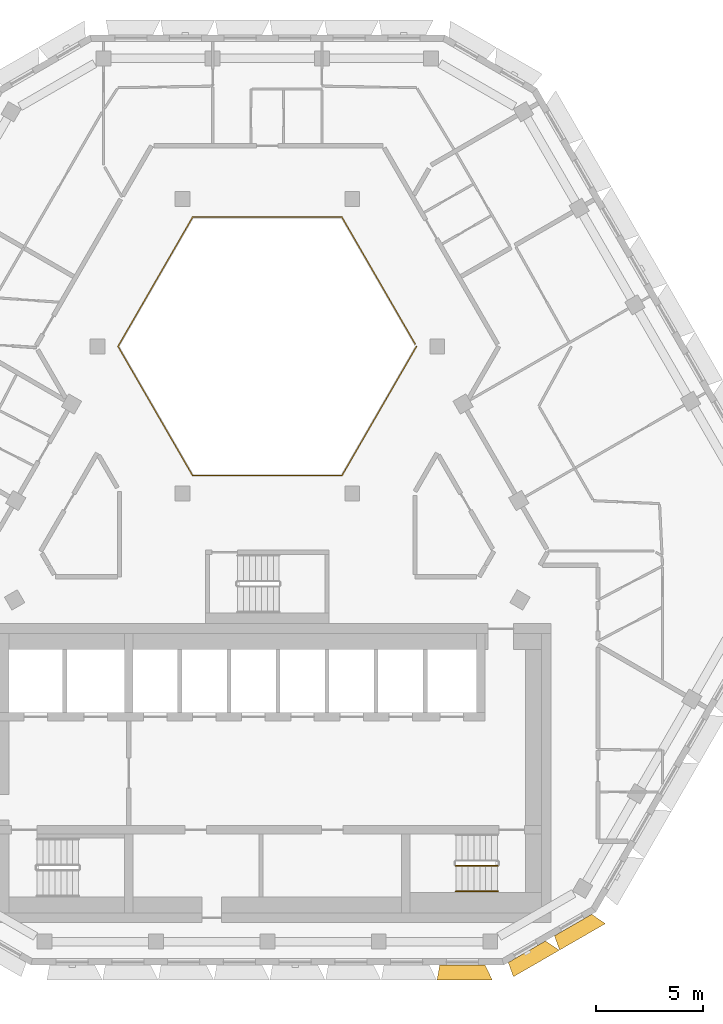
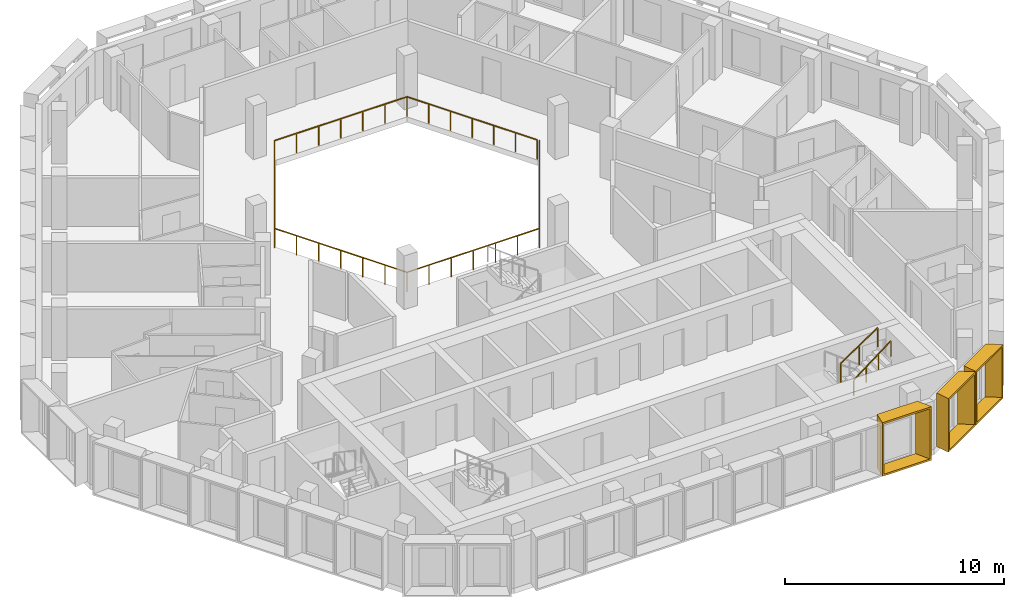
# One storey, part 14 of 16: 3 railings, 3 shading devices.
"""IFC4 building model written with IfcOpenShell, lengths in metres."""

import ifcopenshell
import ifcopenshell.guid

model = None  # the IFC model being written
_history = None  # IfcOwnerHistory: only IFC2X3 demands one
_inside = {}  # id of a spatial element -> (the spatial element, [elements in it])
_under = {}  # id of a project, library or spatial element -> (it, [spatial elements below it])
_declared = {}  # id of a project -> (the project, [libraries it declares])
_typed = {}  # id of a type object -> (the type object, [elements of that type])
_made_of = {}  # id of a material, layer set ... -> (it, [elements and type objects made of it])


def new_model(schema):
    """Start an empty IFC model of exactly this schema.

    Asked for "IFC4X3", IfcOpenShell would pick the latest addendum, in which some entities
    have other attributes; the version numbers below select the first issue.
    IFC2X3 requires an IfcOwnerHistory on every rooted entity: one is made here for all.
    """
    global model, _history
    if schema == "IFC4X3":
        model = ifcopenshell.file(schema_version=(4, 3, 0, 0))
    else:
        model = ifcopenshell.file(schema=schema)
    _inside.clear()
    _under.clear()
    _declared.clear()
    _typed.clear()
    _made_of.clear()
    _history = None
    if model.schema == "IFC2X3":
        org = make("IfcOrganization", Name="unknown")
        user = make(
            "IfcPersonAndOrganization",
            ThePerson=make("IfcPerson", FamilyName="unknown"),
            TheOrganization=org,
        )
        app = make(
            "IfcApplication",
            ApplicationDeveloper=org,
            Version="unknown",
            ApplicationFullName="unknown",
            ApplicationIdentifier="unknown",
        )
        _history = make(
            "IfcOwnerHistory",
            OwningUser=user,
            OwningApplication=app,
            ChangeAction="ADDED",
            CreationDate=0,
        )
    return model


def make(cls, **values):
    """One entity of the class cls with the attributes given. An attribute that is None is left unset."""
    return model.create_entity(
        cls, **{name: value for name, value in values.items() if value is not None}
    )


def entity(cls, *values):
    """Any entity or typed value of the class cls, its attributes in the order of the schema. None: left unset."""
    e = model.create_entity(cls)
    for i, value in enumerate(values):
        if value is not None:
            e[i] = value
    return e


def rooted(cls, **values):
    """An entity with a GlobalId (a new one), such as an element, a storey or a relation."""
    return make(cls, GlobalId=ifcopenshell.guid.new(), OwnerHistory=_history, **values)


def si_unit(unit_type, name, prefix=None):
    """IfcSIUnit, for example si_unit("LENGTHUNIT", "METRE", prefix="MILLI")."""
    return make("IfcSIUnit", UnitType=unit_type, Prefix=prefix, Name=name)


def assignment(units):
    """IfcUnitAssignment: the units of a project."""
    return None if units is None else make("IfcUnitAssignment", Units=units)


def point(xyz):
    """IfcCartesianPoint."""
    return None if xyz is None else make("IfcCartesianPoint", Coordinates=xyz)


def direction(xyz):
    """IfcDirection."""
    return None if xyz is None else make("IfcDirection", DirectionRatios=xyz)


def frame(location, z_axis=None, x_axis=None):
    """IfcAxis2Placement3D, a coordinate frame: its origin and axes. An axis left out is left unset."""
    return make(
        "IfcAxis2Placement3D",
        Location=point(location),
        Axis=direction(z_axis),
        RefDirection=direction(x_axis),
    )


def frame_2d(location, x_axis=None):
    """IfcAxis2Placement2D, a coordinate frame in the plane: its origin and x axis."""
    return make(
        "IfcAxis2Placement2D", Location=point(location), RefDirection=direction(x_axis)
    )


def origin():
    """The frame at (0, 0, 0) with its axes left unset."""
    return frame((0.0, 0.0, 0.0))


def origin_2d():
    """The frame at (0, 0) in the plane with its x axis left unset."""
    return frame_2d((0.0, 0.0))


def place(relative_to, where):
    """IfcLocalPlacement: puts the frame where relative to a parent placement (None: the world)."""
    return make(
        "IfcLocalPlacement", PlacementRelTo=relative_to, RelativePlacement=where
    )


def context(
    kind, dimensions, precision=None, world=None, true_north=None, identifier=None
):
    """IfcGeometricRepresentationContext, for example the 3D "Model" context."""
    return make(
        "IfcGeometricRepresentationContext",
        ContextIdentifier=identifier,
        ContextType=kind,
        CoordinateSpaceDimension=dimensions,
        Precision=precision,
        WorldCoordinateSystem=world,
        TrueNorth=true_north,
    )


def subcontext(parent, identifier, kind, view, scale=None):
    """IfcGeometricRepresentationSubContext, for example "Body" below "Model"."""
    return make(
        "IfcGeometricRepresentationSubContext",
        ContextIdentifier=identifier,
        ContextType=kind,
        ParentContext=parent,
        TargetScale=scale,
        TargetView=view,
    )


def project(units=None, contexts=None):
    """IfcProject with its units and contexts."""
    return rooted(
        "IfcProject",
        Name="project",
        RepresentationContexts=contexts,
        UnitsInContext=assignment(units),
    )


def spatial(cls, under=None, at=None, **own):
    """A site, building, storey or space (cls), placed at a placement, below another one or the project."""
    s = rooted(cls, ObjectPlacement=at, **own)
    if under is not None:
        _under.setdefault(under.id(), (under, []))[1].append(s)
    return s


def profile(cls, at=None, kind="AREA", **sizes):
    """A parametric profile (cls). Its sizes go by their IFC names, for example OverallWidth=200.0."""
    return make(cls, ProfileType=kind, Position=at, **sizes)


def rectangle(**sizes):
    """IfcRectangleProfileDef."""
    return profile("IfcRectangleProfileDef", **sizes)


def extrude(swept, where, along, depth):
    """IfcExtrudedAreaSolid: the profile swept, set in the frame where, extruded along a direction by depth."""
    return make(
        "IfcExtrudedAreaSolid",
        SweptArea=swept,
        Position=where,
        ExtrudedDirection=direction(along),
        Depth=depth,
    )


def shape(context_of_items, identifier, shape_type, items):
    """IfcShapeRepresentation: the items that make up one representation, for example the "Body"."""
    return make(
        "IfcShapeRepresentation",
        ContextOfItems=context_of_items,
        RepresentationIdentifier=identifier,
        RepresentationType=shape_type,
        Items=items,
    )


def source(mapping_origin, context_of_items, identifier, shape_type, items):
    """IfcRepresentationMap: a shape defined once, which mapped items show again and again."""
    return make(
        "IfcRepresentationMap",
        MappingOrigin=mapping_origin,
        MappedRepresentation=shape(context_of_items, identifier, shape_type, items),
    )


def transform(
    local_origin,
    x_axis=None,
    y_axis=None,
    z_axis=None,
    scale=None,
    scale2=None,
    scale3=None,
    uniform=True,
):
    """IfcCartesianTransformationOperator3D, or its non-uniform kind. x_axis, y_axis, z_axis: its Axis1, 2, 3."""
    if uniform:
        return make(
            "IfcCartesianTransformationOperator3D",
            Axis1=direction(x_axis),
            Axis2=direction(y_axis),
            LocalOrigin=point(local_origin),
            Scale=scale,
            Axis3=direction(z_axis),
        )
    return make(
        "IfcCartesianTransformationOperator3DnonUniform",
        Axis1=direction(x_axis),
        Axis2=direction(y_axis),
        LocalOrigin=point(local_origin),
        Scale=scale,
        Axis3=direction(z_axis),
        Scale2=scale2,
        Scale3=scale3,
    )


def mapped(mapping_source, mapping_target):
    """IfcMappedItem: shows the shape of a source again, moved by a transform."""
    return make(
        "IfcMappedItem", MappingSource=mapping_source, MappingTarget=mapping_target
    )


def material(Name=None, Category=None):
    """IfcMaterial."""
    return make("IfcMaterial", Name=Name, Category=Category)


def made_of(thing, what):
    """Note that an element or type object is made of a material, layer set ...; save() writes the relation."""
    if what is not None:
        _made_of.setdefault(what.id(), (what, []))[1].append(thing)
    return thing


def type_object(cls, material=None, **own):
    """A type object (cls), such as IfcWallType, which elements share."""
    return made_of(rooted(cls, **own), material)


def type_shapes(of_type, sources):
    """Give a type object the sources (RepresentationMaps) that its elements show as mapped items."""
    of_type.RepresentationMaps = sources


def element(
    cls,
    number,
    at=None,
    inside=None,
    cuts=None,
    type_object=None,
    material=None,
    context=None,
    identifier="Body",
    shape_type=None,
    held_by="IfcProductDefinitionShape",
    body=None,
    shapes=None,
    **own,
):
    """One element of the class cls, such as IfcWall. Its Tag is "e" and its number.

    at: its placement. inside: the storey or other place that contains it. cuts: it is an
    opening in that element (IfcRelVoidsElement). A single representation is given by context,
    identifier, shape_type and body (its items); several are given by shapes. held_by: the class
    of the entity that holds the representations. save() writes the other relations.
    """
    e = rooted(cls, Tag="e%d" % number, ObjectPlacement=at, **own)
    if body is not None:
        shapes = [shape(context, identifier, shape_type, body)]
    if shapes is not None:
        e.Representation = make(held_by, Representations=shapes)
    if inside is not None:
        _inside.setdefault(inside.id(), (inside, []))[1].append(e)
    if cuts is not None:
        rooted(
            "IfcRelVoidsElement", RelatingBuildingElement=cuts, RelatedOpeningElement=e
        )
    if type_object is not None:
        _typed.setdefault(type_object.id(), (type_object, []))[1].append(e)
    return made_of(e, material)


def aggregate(whole, parts):
    """IfcRelAggregates: a whole, such as a stair, and the parts it consists of."""
    return rooted("IfcRelAggregates", RelatingObject=whole, RelatedObjects=parts)


def save(model, path):
    """Write the relations noted so far, then the file.

    IfcRelAggregates (storeys below a building ...), IfcRelContainedInSpatialStructure (elements
    in a storey), IfcRelDefinesByType, IfcRelAssociatesMaterial and IfcRelDeclares: one each for
    every whole, place, type object, material and project.
    """
    for whole, parts in _under.values():
        aggregate(whole, parts)
    for where, things in _inside.values():
        rooted(
            "IfcRelContainedInSpatialStructure",
            RelatedElements=things,
            RelatingStructure=where,
        )
    for kind, things in _typed.values():
        rooted("IfcRelDefinesByType", RelatedObjects=things, RelatingType=kind)
    for what, things in _made_of.values():
        rooted("IfcRelAssociatesMaterial", RelatedObjects=things, RelatingMaterial=what)
    for by, libraries in _declared.values():
        rooted("IfcRelDeclares", RelatingContext=by, RelatedDefinitions=libraries)
    model.write(path)


model = new_model("IFC4")

# Units and contexts
model_context = context("Model", 3, precision=1e-05, world=origin(), true_north=direction((0.0, 1.0)))
body_context = subcontext(model_context, "Body", "Model", "MODEL_VIEW")
ifc_project = project(units=[si_unit("LENGTHUNIT", "METRE"), si_unit("AREAUNIT", "SQUARE_METRE"), si_unit("VOLUMEUNIT", "CUBIC_METRE"), si_unit("PLANEANGLEUNIT", "RADIAN"), si_unit("MASSUNIT", "GRAM", prefix="KILO")], contexts=[model_context])

# Site, building, storey
site_placement = place(None, origin())
site = spatial("IfcSite", under=ifc_project, at=site_placement, CompositionType="ELEMENT")
building_placement = place(site_placement, origin())
building = spatial("IfcBuilding", under=site, at=building_placement, Name="Beryl Residences", CompositionType="ELEMENT")
storey_placement = place(building_placement, frame((0.0, 0.0, 214.800048828125)))
storey = spatial("IfcBuildingStorey", under=building, at=storey_placement, Name="L66", CompositionType="ELEMENT", Elevation=214.800048828125)

# Railing
ifc_material_1 = material(Name="Stainless steel balustrade with glass infill", Category="steel")
railing_type_1 = type_object("IfcRailingType", Name="EG1 edge guard 1100 mm", PredefinedType="GUARDRAIL", material=ifc_material_1)
railing_1_placement = place(storey_placement, frame((6.9970703125, 8.0, 0.0)))
element("IfcRailing", 1, at=railing_1_placement, inside=storey, type_object=railing_type_1, Name="L66 atrium guard", PredefinedType="GUARDRAIL", context=body_context, shape_type="SweptSolid", body=[
    extrude(rectangle(XDim=0.048095703125, YDim=0.048095703125, at=origin_2d()), frame((0.0, 0.0, 1.076171875), z_axis=(-0.499921796684, -0.866070549782, 0.0), x_axis=(0.866070549782, -0.499921796684, 0.0)), (0.0, 0.0, 1.0), 6.9970703125),
    extrude(rectangle(XDim=0.048095703125, YDim=0.048095703125, at=origin_2d()), frame((-3.498046875, -6.06005859375, 1.076171875), z_axis=(-1.0, 0.0, 0.0), x_axis=(0.0, -1.0, 0.0)), (0.0, 0.0, 1.0), 6.998046875),
    extrude(rectangle(XDim=0.048095703125, YDim=0.048095703125, at=origin_2d()), frame((-10.49609375, -6.06005859375, 1.076171875), z_axis=(-0.499921796684, 0.866070549782, 0.0), x_axis=(-0.866070549782, -0.499921796684, 0.0)), (0.0, 0.0, 1.0), 6.9970703125),
    extrude(rectangle(XDim=0.048095703125, YDim=0.048095703125, at=origin_2d()), frame((-13.994140625, 0.0, 1.076171875), z_axis=(0.499921796684, 0.866070549782, 0.0), x_axis=(-0.866070549782, 0.499921796684, 0.0)), (0.0, 0.0, 1.0), 6.9970703125),
    extrude(rectangle(XDim=0.048095703125, YDim=0.048095703125, at=origin_2d()), frame((-10.49609375, 6.06005859375, 1.076171875), z_axis=(1.0, 0.0, 0.0), x_axis=(0.0, 1.0, 0.0)), (0.0, 0.0, 1.0), 6.998046875),
    extrude(rectangle(XDim=0.048095703125, YDim=0.048095703125, at=origin_2d()), frame((-3.498046875, 6.06005859375, 1.076171875), z_axis=(0.499919131929, -0.866072087953, 0.0), x_axis=(0.866072087953, 0.499919131929, 0.0)), (0.0, 0.0, 1.0), 6.877197265625),
    extrude(rectangle(XDim=0.0419921875, YDim=0.0419921875, at=origin_2d()), origin(), (0.0, 0.0, 1.0), 1.052001953125),
    extrude(rectangle(XDim=0.0419921875, YDim=0.0419921875, at=origin_2d()), frame((-0.5830078125, -1.010009765625, 0.0)), (0.0, 0.0, 1.0), 1.052001953125),
    extrude(rectangle(XDim=0.0419921875, YDim=0.0419921875, at=origin_2d()), frame((-1.166015625, -2.02001953125, 0.0)), (0.0, 0.0, 1.0), 1.052001953125),
    extrude(rectangle(XDim=0.0419921875, YDim=0.0419921875, at=origin_2d()), frame((-1.7490234375, -3.030029296875, 0.0)), (0.0, 0.0, 1.0), 1.052001953125),
    extrude(rectangle(XDim=0.0419921875, YDim=0.0419921875, at=origin_2d()), frame((-2.33203125, -4.0400390625, 0.0)), (0.0, 0.0, 1.0), 1.052001953125),
    extrude(rectangle(XDim=0.0419921875, YDim=0.0419921875, at=origin_2d()), frame((-2.9150390625, -5.050048828125, 0.0)), (0.0, 0.0, 1.0), 1.052001953125),
    extrude(rectangle(XDim=0.0419921875, YDim=0.0419921875, at=origin_2d()), frame((-3.498046875, -6.06005859375, 0.0)), (0.0, 0.0, 1.0), 1.052001953125),
    extrude(rectangle(XDim=0.0419921875, YDim=0.0419921875, at=origin_2d()), frame((-4.664306640625, -6.06005859375, 0.0)), (0.0, 0.0, 1.0), 1.052001953125),
    extrude(rectangle(XDim=0.0419921875, YDim=0.0419921875, at=origin_2d()), frame((-5.830810546875, -6.06005859375, 0.0)), (0.0, 0.0, 1.0), 1.052001953125),
    extrude(rectangle(XDim=0.0419921875, YDim=0.0419921875, at=origin_2d()), frame((-6.9970703125, -6.06005859375, 0.0)), (0.0, 0.0, 1.0), 1.052001953125),
    extrude(rectangle(XDim=0.0419921875, YDim=0.0419921875, at=origin_2d()), frame((-8.163330078125, -6.06005859375, 0.0)), (0.0, 0.0, 1.0), 1.052001953125),
    extrude(rectangle(XDim=0.0419921875, YDim=0.0419921875, at=origin_2d()), frame((-9.329833984375, -6.06005859375, 0.0)), (0.0, 0.0, 1.0), 1.052001953125),
    extrude(rectangle(XDim=0.0419921875, YDim=0.0419921875, at=origin_2d()), frame((-10.49609375, -6.06005859375, 0.0)), (0.0, 0.0, 1.0), 1.052001953125),
    extrude(rectangle(XDim=0.0419921875, YDim=0.0419921875, at=origin_2d()), frame((-11.0791015625, -5.050048828125, 0.0)), (0.0, 0.0, 1.0), 1.052001953125),
    extrude(rectangle(XDim=0.0419921875, YDim=0.0419921875, at=origin_2d()), frame((-11.662109375, -4.0400390625, 0.0)), (0.0, 0.0, 1.0), 1.052001953125),
    extrude(rectangle(XDim=0.0419921875, YDim=0.0419921875, at=origin_2d()), frame((-12.2451171875, -3.030029296875, 0.0)), (0.0, 0.0, 1.0), 1.052001953125),
    extrude(rectangle(XDim=0.0419921875, YDim=0.0419921875, at=origin_2d()), frame((-12.828125, -2.02001953125, 0.0)), (0.0, 0.0, 1.0), 1.052001953125),
    extrude(rectangle(XDim=0.0419921875, YDim=0.0419921875, at=origin_2d()), frame((-13.4111328125, -1.010009765625, 0.0)), (0.0, 0.0, 1.0), 1.052001953125),
    extrude(rectangle(XDim=0.0419921875, YDim=0.0419921875, at=origin_2d()), frame((-13.994140625, 0.0, 0.0)), (0.0, 0.0, 1.0), 1.052001953125),
    extrude(rectangle(XDim=0.0419921875, YDim=0.0419921875, at=origin_2d()), frame((-13.4111328125, 1.010009765625, 0.0)), (0.0, 0.0, 1.0), 1.052001953125),
    extrude(rectangle(XDim=0.0419921875, YDim=0.0419921875, at=origin_2d()), frame((-12.828125, 2.02001953125, 0.0)), (0.0, 0.0, 1.0), 1.052001953125),
    extrude(rectangle(XDim=0.0419921875, YDim=0.0419921875, at=origin_2d()), frame((-12.2451171875, 3.030029296875, 0.0)), (0.0, 0.0, 1.0), 1.052001953125),
    extrude(rectangle(XDim=0.0419921875, YDim=0.0419921875, at=origin_2d()), frame((-11.662109375, 4.0400390625, 0.0)), (0.0, 0.0, 1.0), 1.052001953125),
    extrude(rectangle(XDim=0.0419921875, YDim=0.0419921875, at=origin_2d()), frame((-11.0791015625, 5.050048828125, 0.0)), (0.0, 0.0, 1.0), 1.052001953125),
    extrude(rectangle(XDim=0.0419921875, YDim=0.0419921875, at=origin_2d()), frame((-10.49609375, 6.06005859375, 0.0)), (0.0, 0.0, 1.0), 1.052001953125),
    extrude(rectangle(XDim=0.0419921875, YDim=0.0419921875, at=origin_2d()), frame((-9.329833984375, 6.06005859375, 0.0)), (0.0, 0.0, 1.0), 1.052001953125),
    extrude(rectangle(XDim=0.0419921875, YDim=0.0419921875, at=origin_2d()), frame((-8.163330078125, 6.06005859375, 0.0)), (0.0, 0.0, 1.0), 1.052001953125),
    extrude(rectangle(XDim=0.0419921875, YDim=0.0419921875, at=origin_2d()), frame((-6.9970703125, 6.06005859375, 0.0)), (0.0, 0.0, 1.0), 1.052001953125),
    extrude(rectangle(XDim=0.0419921875, YDim=0.0419921875, at=origin_2d()), frame((-5.830810546875, 6.06005859375, 0.0)), (0.0, 0.0, 1.0), 1.052001953125),
    extrude(rectangle(XDim=0.0419921875, YDim=0.0419921875, at=origin_2d()), frame((-4.664306640625, 6.06005859375, 0.0)), (0.0, 0.0, 1.0), 1.052001953125),
    extrude(rectangle(XDim=0.0419921875, YDim=0.0419921875, at=origin_2d()), frame((-3.498046875, 6.06005859375, 0.0)), (0.0, 0.0, 1.0), 1.052001953125),
    extrude(rectangle(XDim=0.0419921875, YDim=0.0419921875, at=origin_2d()), frame((-2.925048828125, 5.0673828125, 0.0)), (0.0, 0.0, 1.0), 1.052001953125),
    extrude(rectangle(XDim=0.0419921875, YDim=0.0419921875, at=origin_2d()), frame((-2.35205078125, 4.07470703125, 0.0)), (0.0, 0.0, 1.0), 1.052001953125),
    extrude(rectangle(XDim=0.0419921875, YDim=0.0419921875, at=origin_2d()), frame((-1.779052734375, 3.08203125, 0.0)), (0.0, 0.0, 1.0), 1.052001953125),
    extrude(rectangle(XDim=0.0419921875, YDim=0.0419921875, at=origin_2d()), frame((-1.2060546875, 2.08935546875, 0.0)), (0.0, 0.0, 1.0), 1.052001953125),
    extrude(rectangle(XDim=0.0419921875, YDim=0.0419921875, at=origin_2d()), frame((-0.633056640625, 1.0966796875, 0.0)), (0.0, 0.0, 1.0), 1.052001953125),
    extrude(rectangle(XDim=0.0419921875, YDim=0.0419921875, at=origin_2d()), frame((-0.06005859375, 0.10400390625, 0.0)), (0.0, 0.0, 1.0), 1.052001953125),
])

# Shading devices
ifc_material_2 = material(Name="Aluminium pale anodised", Category="aluminium")
shading_device_type_1 = type_object("IfcShadingDeviceType", Name="FR250-70C OUTER SKIN frame 700 mm deep, splay 10/26 deg, 2500 x 3000 mm cell", PredefinedType="USERDEFINED", material=ifc_material_2)
cartesian_point_1 = entity("IfcCartesianPoint", [-1.007568359375, 0.0])
cartesian_point_2 = entity("IfcCartesianPoint", [-0.92626953125, 0.10009765625])
cartesian_point_3 = entity("IfcCartesianPoint", [-1.130859375, 0.0])
cartesian_point_4 = entity("IfcCartesianPoint", [-1.0498046875, 0.10009765625])
shared_shape_1 = source(origin(), body_context, "Body", "SweptSolid", [
    entity("IfcExtrudedAreaSolidTapered", entity("IfcArbitraryProfileDefWithVoids", "AREA", None, entity("IfcPolyline", [cartesian_point_1, entity("IfcCartesianPoint", [1.007568359375, 0.0]), entity("IfcCartesianPoint", [1.007568359375, 3.0]), entity("IfcCartesianPoint", [-1.007568359375, 3.0]), cartesian_point_1]), [entity("IfcPolyline", [cartesian_point_2, entity("IfcCartesianPoint", [0.91845703125, 0.10009765625]), entity("IfcCartesianPoint", [0.91845703125, 2.89990234375]), entity("IfcCartesianPoint", [-0.92626953125, 2.89990234375]), cartesian_point_2])]), entity("IfcAxis2Placement3D", entity("IfcCartesianPoint", [0.0, 0.0, 0.0]), entity("IfcDirection", [0.0, 1.0, 0.0]), entity("IfcDirection", [-1.0, 0.0, 0.0])), entity("IfcDirection", [0.0, 0.0, 1.0]), 0.699951171875, entity("IfcArbitraryProfileDefWithVoids", "AREA", None, entity("IfcPolyline", [cartesian_point_3, entity("IfcCartesianPoint", [1.348876953125, 0.0]), entity("IfcCartesianPoint", [1.348876953125, 3.0]), entity("IfcCartesianPoint", [-1.130859375, 3.0]), cartesian_point_3]), [entity("IfcPolyline", [cartesian_point_4, entity("IfcCartesianPoint", [1.260009765625, 0.10009765625]), entity("IfcCartesianPoint", [1.260009765625, 2.89990234375]), entity("IfcCartesianPoint", [-1.0498046875, 2.89990234375]), cartesian_point_4])])),
])
type_shapes(shading_device_type_1, [shared_shape_1])
for number, where, z_axis, x_axis, name in (
    (2, (12.16796875, -20.375, 0.0), (0.0, 0.0, 1.0), (-0.866025403784, -0.5, 0.0), "FR250-70C frame L66 S-SE 1"),
    (3, (14.33203125, -19.125, 0.0), (0.0, 0.0, 1.0), (-0.866025403784, -0.5, 0.0), "FR250-70C frame L66 S-SE 2"),
):
    element("IfcShadingDevice", number, at=place(storey_placement, frame(where, z_axis=z_axis, x_axis=x_axis)), inside=storey, type_object=shading_device_type_1, Name=name, ObjectType="OUTER SKIN", PredefinedType="USERDEFINED", context=body_context, shape_type="MappedRepresentation", body=[
        mapped(shared_shape_1, transform((0.0, 0.0, 0.0))),
    ])
ifc_material_3 = material(Name="Aluminium pale anodised", Category="aluminium")
shading_device_type_2 = type_object("IfcShadingDeviceType", Name="FR261-70C OUTER SKIN frame 700 mm deep, splay 10/26 deg, 2610 x 3000 mm cell", PredefinedType="USERDEFINED", material=ifc_material_3)
cartesian_point_5 = entity("IfcCartesianPoint", [-1.0625, 0.0])
cartesian_point_6 = entity("IfcCartesianPoint", [-0.981201171875, 0.10009765625])
cartesian_point_7 = entity("IfcCartesianPoint", [-1.18603515625, 0.0])
cartesian_point_8 = entity("IfcCartesianPoint", [-1.104736328125, 0.10009765625])
shared_shape_2 = source(origin(), body_context, "Body", "SweptSolid", [
    entity("IfcExtrudedAreaSolidTapered", entity("IfcArbitraryProfileDefWithVoids", "AREA", None, entity("IfcPolyline", [cartesian_point_5, entity("IfcCartesianPoint", [1.0625, 0.0]), entity("IfcCartesianPoint", [1.0625, 3.0]), entity("IfcCartesianPoint", [-1.0625, 3.0]), cartesian_point_5]), [entity("IfcPolyline", [cartesian_point_6, entity("IfcCartesianPoint", [0.973388671875, 0.10009765625]), entity("IfcCartesianPoint", [0.973388671875, 2.89990234375]), entity("IfcCartesianPoint", [-0.981201171875, 2.89990234375]), cartesian_point_6])]), entity("IfcAxis2Placement3D", entity("IfcCartesianPoint", [0.0, 0.0, 0.0]), entity("IfcDirection", [0.0, 1.0, 0.0]), entity("IfcDirection", [-1.0, 0.0, 0.0])), entity("IfcDirection", [0.0, 0.0, 1.0]), 0.699951171875, entity("IfcArbitraryProfileDefWithVoids", "AREA", None, entity("IfcPolyline", [cartesian_point_7, entity("IfcCartesianPoint", [1.40380859375, 0.0]), entity("IfcCartesianPoint", [1.40380859375, 3.0]), entity("IfcCartesianPoint", [-1.18603515625, 3.0]), cartesian_point_7]), [entity("IfcPolyline", [cartesian_point_8, entity("IfcCartesianPoint", [1.31494140625, 0.10009765625]), entity("IfcCartesianPoint", [1.31494140625, 2.89990234375]), entity("IfcCartesianPoint", [-1.104736328125, 2.89990234375]), cartesian_point_8])])),
])
type_shapes(shading_device_type_2, [shared_shape_2])
shading_device_placement = place(storey_placement, frame((9.14404296875, -21.0, 0.0), z_axis=(0.0, 0.0, 1.0), x_axis=(-1.0, 0.0, 0.0)))
element("IfcShadingDevice", 4, at=shading_device_placement, inside=storey, type_object=shading_device_type_2, Name="FR261-70C frame L66 S 8", ObjectType="OUTER SKIN", PredefinedType="USERDEFINED", context=body_context, shape_type="MappedRepresentation", body=[
    mapped(shared_shape_2, transform((0.0, 0.0, 0.0))),
])

# Railings
ifc_material_4 = material(Name="Stainless steel balustrade with glass infill", Category="steel")
railing_type_2 = type_object("IfcRailingType", Name="SG1 stair guard 1100 mm", PredefinedType="GUARDRAIL", material=ifc_material_4)
railing_2_placement = place(storey_placement, frame((8.840087890625, -16.35009765625, 1.6875)))
element("IfcRailing", 5, at=railing_2_placement, inside=storey, type_object=railing_type_2, Name="L66 ST-3 stair guard 3", PredefinedType="GUARDRAIL", context=body_context, shape_type="SweptSolid", body=[
    extrude(rectangle(XDim=0.048095703125, YDim=0.048095703125, at=origin_2d()), frame((0.0, 0.0, 1.076171875), z_axis=(0.830902050051, 0.0, 0.556418712142), x_axis=(0.0, 1.0, 0.0)), (0.0, 0.0, 1.0), 2.35888671875),
    extrude(rectangle(XDim=0.0419921875, YDim=0.0419921875, at=origin_2d()), origin(), (0.0, 0.0, 1.0), 1.052001953125),
    extrude(rectangle(XDim=0.0419921875, YDim=0.0419921875, at=origin_2d()), frame((0.97998046875, 0.0, 0.65625)), (0.0, 0.0, 1.0), 1.052001953125),
    extrude(rectangle(XDim=0.0419921875, YDim=0.0419921875, at=origin_2d()), frame((1.9599609375, 0.0, 1.3125)), (0.0, 0.0, 1.0), 1.052001953125),
])
ifc_material_5 = material(Name="Stainless steel handrail", Category="steel")
railing_type_3 = type_object("IfcRailingType", Name="SRL1 stair handrail 900 mm", PredefinedType="HANDRAIL", material=ifc_material_5)
railing_3_placement = place(storey_placement, frame((8.840087890625, -17.550048828125, 1.6875)))
element("IfcRailing", 6, at=railing_3_placement, inside=storey, type_object=railing_type_3, Name="L66 ST-3 stair handrail 2", PredefinedType="HANDRAIL", context=body_context, shape_type="SweptSolid", body=[
    extrude(rectangle(XDim=0.048095703125, YDim=0.048095703125, at=origin_2d()), frame((0.0, 0.0, 0.8759765625), z_axis=(0.794121922505, 0.0, 0.607758481798), x_axis=(0.0, 1.0, 0.0)), (0.0, 0.0, 1.0), 2.468017578125),
    extrude(rectangle(XDim=0.0419921875, YDim=0.0419921875, at=origin_2d()), origin(), (0.0, 0.0, 1.0), 0.851806640625),
    extrude(rectangle(XDim=0.0419921875, YDim=0.0419921875, at=origin_2d()), frame((0.6533203125, 0.0, 0.5)), (0.0, 0.0, 1.0), 0.851806640625),
    extrude(rectangle(XDim=0.0419921875, YDim=0.0419921875, at=origin_2d()), frame((1.306640625, 0.0, 1.0)), (0.0, 0.0, 1.0), 0.851806640625),
    extrude(rectangle(XDim=0.0419921875, YDim=0.0419921875, at=origin_2d()), frame((1.9599609375, 0.0, 1.5)), (0.0, 0.0, 1.0), 0.851806640625),
])

save(model, "model.ifc")
